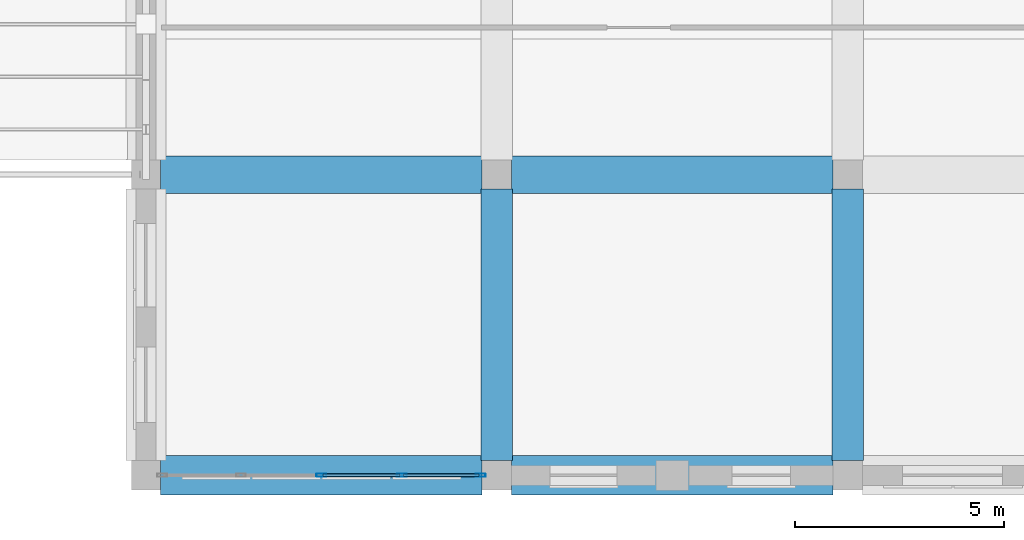
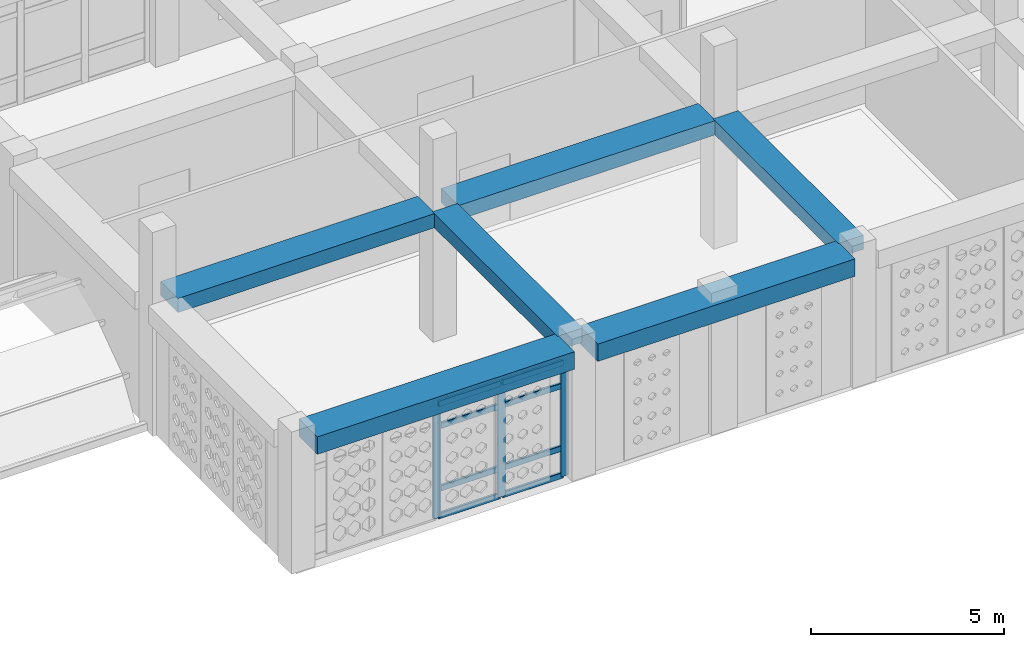
# One storey, part 15 of 100: 11 members, 6 beams, 1 element without a shape of its own.
"""IFC4 building model written with IfcOpenShell, lengths in metres."""

from ifc_helpers import new_model, si_unit, derived_unit, direction, frame, origin, origin_2d, place, context, subcontext, project, spatial, rectangle, hollow_rectangle, extrude, material, material_profile, profile_set, type_object, element, aggregate, save


model = new_model("IFC4")

# Units and contexts
model_context = context("Model", 3, precision=1e-05, world=origin(), true_north=direction((0.0, 1.0)))
body_context = subcontext(model_context, "Body", "Model", "MODEL_VIEW")
ifc_project = project(units=[si_unit("LENGTHUNIT", "METRE"), si_unit("AREAUNIT", "SQUARE_METRE"), si_unit("VOLUMEUNIT", "CUBIC_METRE"), si_unit("PLANEANGLEUNIT", "RADIAN"), si_unit("MASSUNIT", "GRAM", prefix="KILO"), derived_unit("THERMALTRANSMITTANCEUNIT", [(si_unit("POWERUNIT", "WATT"), 1), (si_unit("LENGTHUNIT", "METRE"), -2), (si_unit("THERMODYNAMICTEMPERATUREUNIT", "KELVIN"), -1)])], contexts=[model_context])

# Site, building, storey
site_placement = place(None, origin())
site = spatial("IfcSite", under=ifc_project, at=site_placement, CompositionType="ELEMENT")
building_placement = place(site_placement, origin())
building = spatial("IfcBuilding", under=site, at=building_placement, Name="Veybourne Emporium", CompositionType="ELEMENT")
storey_placement = place(building_placement, frame((0.0, 0.0, 14.39990234375)))
storey = spatial("IfcBuildingStorey", under=building, at=storey_placement, Name="L03", CompositionType="ELEMENT", Elevation=14.39990234375)

# Curtain wall, members
ifc_material_1 = material(Name="Patinated Architectural Bronze", Category="bronze")
curtain_wall_type = type_object("IfcCurtainWallType", Name="CWSystem_CWS-19", PredefinedType="NOTDEFINED", material=ifc_material_1)
curtain_wall_placement = place(storey_placement, origin())
curtain_wall = element("IfcCurtainWall", 1, at=curtain_wall_placement, inside=storey, type_object=curtain_wall_type, Name="L03 bronze glazed curtain wall CWS-19 (048)", PredefinedType="NOTDEFINED")
ifc_material_profile_1 = material_profile(ifc_material_1, hollow_rectangle(XDim=0.077880859375, YDim=0.235107421875, WallThickness=0.0048828125, InnerFilletRadius=0.007568359375, OuterFilletRadius=0.012451171875, at=origin_2d()), Name="CWM 78x235x5")
ifc_profile_set_1 = profile_set([ifc_material_profile_1], Name="Patinated Architectural Bronze")
member_type_1 = type_object("IfcMemberType", Name="CWMullion_CW-M3", PredefinedType="MULLION", material=ifc_profile_set_1)
member_1_placement = place(storey_placement, frame((100.410888671875, 0.0, 0.0), z_axis=(0.0, 0.0, 1.0), x_axis=(0.0, -1.0, 0.0)))
member_1 = element("IfcMember", 2, at=member_1_placement, type_object=member_type_1, Name="CWS-19 mullion 1", PredefinedType="MULLION", context=body_context, shape_type="SweptSolid", body=[
    extrude(hollow_rectangle(XDim=0.077880859375, YDim=0.235107421875, WallThickness=0.0048828125, InnerFilletRadius=0.007568359375, OuterFilletRadius=0.012451171875, at=origin_2d()), origin(), (0.0, 0.0, 1.0), 3.630126953125),
])
member_2_placement = place(storey_placement, frame((98.52490234375, 0.0, 0.0), z_axis=(0.0, 0.0, 1.0), x_axis=(0.0, -1.0, 0.0)))
member_2 = element("IfcMember", 3, at=member_2_placement, type_object=member_type_1, Name="CWS-19 mullion 2", PredefinedType="MULLION", context=body_context, shape_type="SweptSolid", body=[
    extrude(hollow_rectangle(XDim=0.077880859375, YDim=0.235107421875, WallThickness=0.0048828125, InnerFilletRadius=0.007568359375, OuterFilletRadius=0.012451171875, at=origin_2d()), origin(), (0.0, 0.0, 1.0), 3.630126953125),
])
member_3_placement = place(storey_placement, frame((96.60009765625, 0.0, 0.0), z_axis=(0.0, 0.0, 1.0), x_axis=(0.0, -1.0, 0.0)))
member_3 = element("IfcMember", 4, at=member_3_placement, type_object=member_type_1, Name="CWS-19 mullion 3", PredefinedType="MULLION", context=body_context, shape_type="SweptSolid", body=[
    extrude(hollow_rectangle(XDim=0.077880859375, YDim=0.235107421875, WallThickness=0.0048828125, InnerFilletRadius=0.007568359375, OuterFilletRadius=0.012451171875, at=origin_2d()), origin(), (0.0, 0.0, 1.0), 3.630126953125),
])
ifc_material_profile_2 = material_profile(ifc_material_1, hollow_rectangle(XDim=0.077880859375, YDim=0.18505859375, WallThickness=0.0048828125, InnerFilletRadius=0.007568359375, OuterFilletRadius=0.012451171875, at=origin_2d()), Name="CWT 78x185x5")
ifc_profile_set_2 = profile_set([ifc_material_profile_2], Name="Patinated Architectural Bronze")
member_type_2 = type_object("IfcMemberType", Name="CWTransom_CW-T3", PredefinedType="NOTDEFINED", material=ifc_profile_set_2)
member_4_placement = place(storey_placement, frame((100.3720703125, 0.0, 0.0390625), z_axis=(-1.0, 0.0, 0.0), x_axis=(0.0, -1.0, 0.0)))
member_4 = element("IfcMember", 5, at=member_4_placement, type_object=member_type_2, Name="CWS-19 transom 1.1", ObjectType="TRANSOM", PredefinedType="USERDEFINED", context=body_context, shape_type="SweptSolid", body=[
    extrude(hollow_rectangle(XDim=0.077880859375, YDim=0.18505859375, WallThickness=0.0048828125, InnerFilletRadius=0.007568359375, OuterFilletRadius=0.012451171875, at=origin_2d()), origin(), (0.0, 0.0, 1.0), 1.80810546875),
])
member_5_placement = place(storey_placement, frame((100.3720703125, 0.0, 0.900146484375), z_axis=(-1.0, 0.0, 0.0), x_axis=(0.0, -1.0, 0.0)))
member_5 = element("IfcMember", 6, at=member_5_placement, type_object=member_type_2, Name="CWS-19 transom 1.2", ObjectType="TRANSOM", PredefinedType="USERDEFINED", context=body_context, shape_type="SweptSolid", body=[
    extrude(hollow_rectangle(XDim=0.077880859375, YDim=0.18505859375, WallThickness=0.0048828125, InnerFilletRadius=0.007568359375, OuterFilletRadius=0.012451171875, at=origin_2d()), origin(), (0.0, 0.0, 1.0), 1.80810546875),
])
member_6_placement = place(storey_placement, frame((100.3720703125, 0.0, 2.880126953125), z_axis=(-1.0, 0.0, 0.0), x_axis=(0.0, -1.0, 0.0)))
member_6 = element("IfcMember", 7, at=member_6_placement, type_object=member_type_2, Name="CWS-19 transom 1.3", ObjectType="TRANSOM", PredefinedType="USERDEFINED", context=body_context, shape_type="SweptSolid", body=[
    extrude(hollow_rectangle(XDim=0.077880859375, YDim=0.18505859375, WallThickness=0.0048828125, InnerFilletRadius=0.007568359375, OuterFilletRadius=0.012451171875, at=origin_2d()), origin(), (0.0, 0.0, 1.0), 1.80810546875),
])
member_7_placement = place(storey_placement, frame((100.3720703125, 0.0, 3.591064453125), z_axis=(-1.0, 0.0, 0.0), x_axis=(0.0, -1.0, 0.0)))
member_7 = element("IfcMember", 8, at=member_7_placement, type_object=member_type_2, Name="CWS-19 transom 1.4", ObjectType="TRANSOM", PredefinedType="USERDEFINED", context=body_context, shape_type="SweptSolid", body=[
    extrude(hollow_rectangle(XDim=0.077880859375, YDim=0.18505859375, WallThickness=0.0048828125, InnerFilletRadius=0.007568359375, OuterFilletRadius=0.012451171875, at=origin_2d()), origin(), (0.0, 0.0, 1.0), 1.80810546875),
])
member_8_placement = place(storey_placement, frame((98.486083984375, 0.0, 0.0390625), z_axis=(-1.0, 0.0, 0.0), x_axis=(0.0, -1.0, 0.0)))
member_8 = element("IfcMember", 9, at=member_8_placement, type_object=member_type_2, Name="CWS-19 transom 2.1", ObjectType="TRANSOM", PredefinedType="USERDEFINED", context=body_context, shape_type="SweptSolid", body=[
    extrude(hollow_rectangle(XDim=0.077880859375, YDim=0.18505859375, WallThickness=0.0048828125, InnerFilletRadius=0.007568359375, OuterFilletRadius=0.012451171875, at=origin_2d()), origin(), (0.0, 0.0, 1.0), 1.84716796875),
])
member_9_placement = place(storey_placement, frame((98.486083984375, 0.0, 0.900146484375), z_axis=(-1.0, 0.0, 0.0), x_axis=(0.0, -1.0, 0.0)))
member_9 = element("IfcMember", 10, at=member_9_placement, type_object=member_type_2, Name="CWS-19 transom 2.2", ObjectType="TRANSOM", PredefinedType="USERDEFINED", context=body_context, shape_type="SweptSolid", body=[
    extrude(hollow_rectangle(XDim=0.077880859375, YDim=0.18505859375, WallThickness=0.0048828125, InnerFilletRadius=0.007568359375, OuterFilletRadius=0.012451171875, at=origin_2d()), origin(), (0.0, 0.0, 1.0), 1.84716796875),
])
member_10_placement = place(storey_placement, frame((98.486083984375, 0.0, 2.880126953125), z_axis=(-1.0, 0.0, 0.0), x_axis=(0.0, -1.0, 0.0)))
member_10 = element("IfcMember", 11, at=member_10_placement, type_object=member_type_2, Name="CWS-19 transom 2.3", ObjectType="TRANSOM", PredefinedType="USERDEFINED", context=body_context, shape_type="SweptSolid", body=[
    extrude(hollow_rectangle(XDim=0.077880859375, YDim=0.18505859375, WallThickness=0.0048828125, InnerFilletRadius=0.007568359375, OuterFilletRadius=0.012451171875, at=origin_2d()), origin(), (0.0, 0.0, 1.0), 1.84716796875),
])
member_11_placement = place(storey_placement, frame((98.486083984375, 0.0, 3.591064453125), z_axis=(-1.0, 0.0, 0.0), x_axis=(0.0, -1.0, 0.0)))
member_11 = element("IfcMember", 12, at=member_11_placement, type_object=member_type_2, Name="CWS-19 transom 2.4", ObjectType="TRANSOM", PredefinedType="USERDEFINED", context=body_context, shape_type="SweptSolid", body=[
    extrude(hollow_rectangle(XDim=0.077880859375, YDim=0.18505859375, WallThickness=0.0048828125, InnerFilletRadius=0.007568359375, OuterFilletRadius=0.012451171875, at=origin_2d()), origin(), (0.0, 0.0, 1.0), 1.84716796875),
])
aggregate(curtain_wall, [member_1, member_2, member_3, member_4, member_5, member_6, member_7, member_8, member_9, member_10, member_11])

# Beams
ifc_material_2 = material(Name="Concrete C32/40", Category="concrete")
ifc_material_profile_3 = material_profile(ifc_material_2, rectangle(XDim=0.89990234375, YDim=0.449951171875, at=origin_2d()), Name="RC 900x450")
ifc_profile_set_3 = profile_set([ifc_material_profile_3], Name="Concrete C32/40")
beam_type_1 = type_object("IfcBeamType", Name="RCBeam_BB-03", PredefinedType="BEAM", material=ifc_profile_set_3)
beam_1_placement = place(storey_placement, frame((92.75, 7.199951171875, 3.955078125), z_axis=(1.0, 0.0, 0.0), x_axis=(0.0, 1.0, 0.0)))
element("IfcBeam", 13, at=beam_1_placement, inside=storey, type_object=beam_type_1, Name="L03 X-grid beam BB-03 (11,1)", PredefinedType="BEAM", context=body_context, shape_type="SweptSolid", body=[
    extrude(rectangle(XDim=0.89990234375, YDim=0.449951171875, at=origin_2d()), origin(), (0.0, 0.0, 1.0), 7.699951171875),
])
beam_2_placement = place(storey_placement, frame((101.14990234375, 7.199951171875, 3.955078125), z_axis=(1.0, 0.0, 0.0), x_axis=(0.0, 1.0, 0.0)))
element("IfcBeam", 14, at=beam_2_placement, inside=storey, type_object=beam_type_1, Name="L03 X-grid beam BB-03 (12,1)", PredefinedType="BEAM", context=body_context, shape_type="SweptSolid", body=[
    extrude(rectangle(XDim=0.89990234375, YDim=0.449951171875, at=origin_2d()), origin(), (0.0, 0.0, 1.0), 7.7001953125),
])
ifc_material_profile_4 = material_profile(ifc_material_2, rectangle(XDim=0.75, YDim=0.449951171875, at=origin_2d()), Name="RC 750x450")
ifc_profile_set_4 = profile_set([ifc_material_profile_4], Name="Concrete C32/40")
beam_type_2 = type_object("IfcBeamType", Name="RCBeam_BB-04", PredefinedType="BEAM", material=ifc_profile_set_4)
for number, where, z_axis, x_axis, name in (
    (15, (100.800048828125, 0.35009765625, 3.955078125), (0.0, 1.0, 0.0), (-1.0, 0.0, 0.0), "L03 Y-grid beam BB-04 (12,0)"),
    (16, (109.199951171875, 0.35009765625, 3.955078125), (0.0, 1.0, 0.0), (-1.0, 0.0, 0.0), "L03 Y-grid beam BB-04 (13,0)"),
):
    element("IfcBeam", number, at=place(storey_placement, frame(where, z_axis=z_axis, x_axis=x_axis)), inside=storey, type_object=beam_type_2, Name=name, PredefinedType="BEAM", context=body_context, shape_type="SweptSolid", body=[
        extrude(rectangle(XDim=0.75, YDim=0.449951171875, at=origin_2d()), origin(), (0.0, 0.0, 1.0), 6.5),
    ])
ifc_material_profile_5 = material_profile(ifc_material_2, rectangle(XDim=0.949951171875, YDim=0.550048828125, at=origin_2d()), Name="RC 950x550")
ifc_profile_set_5 = profile_set([ifc_material_profile_5], Name="Concrete C32/40")
beam_type_3 = type_object("IfcBeamType", Name="RCBeam_EB-01", PredefinedType="SPANDREL", material=ifc_profile_set_5)
beam_3_placement = place(storey_placement, frame((92.75, 0.0, 3.905029296875), z_axis=(1.0, 0.0, 0.0), x_axis=(0.0, 1.0, 0.0)))
element("IfcBeam", 17, at=beam_3_placement, inside=storey, type_object=beam_type_3, Name="L03 X-grid beam EB-01 (11,0)", PredefinedType="SPANDREL", context=body_context, shape_type="SweptSolid", body=[
    extrude(rectangle(XDim=0.949951171875, YDim=0.550048828125, at=origin_2d()), origin(), (0.0, 0.0, 1.0), 7.699951171875),
])
beam_4_placement = place(storey_placement, frame((101.14990234375, 0.0, 3.905029296875), z_axis=(1.0, 0.0, 0.0), x_axis=(0.0, 1.0, 0.0)))
element("IfcBeam", 18, at=beam_4_placement, inside=storey, type_object=beam_type_3, Name="L03 X-grid beam EB-01 (12,0)", PredefinedType="SPANDREL", context=body_context, shape_type="SweptSolid", body=[
    extrude(rectangle(XDim=0.949951171875, YDim=0.550048828125, at=origin_2d()), origin(), (0.0, 0.0, 1.0), 7.7001953125),
])

save(model, "model.ifc")
